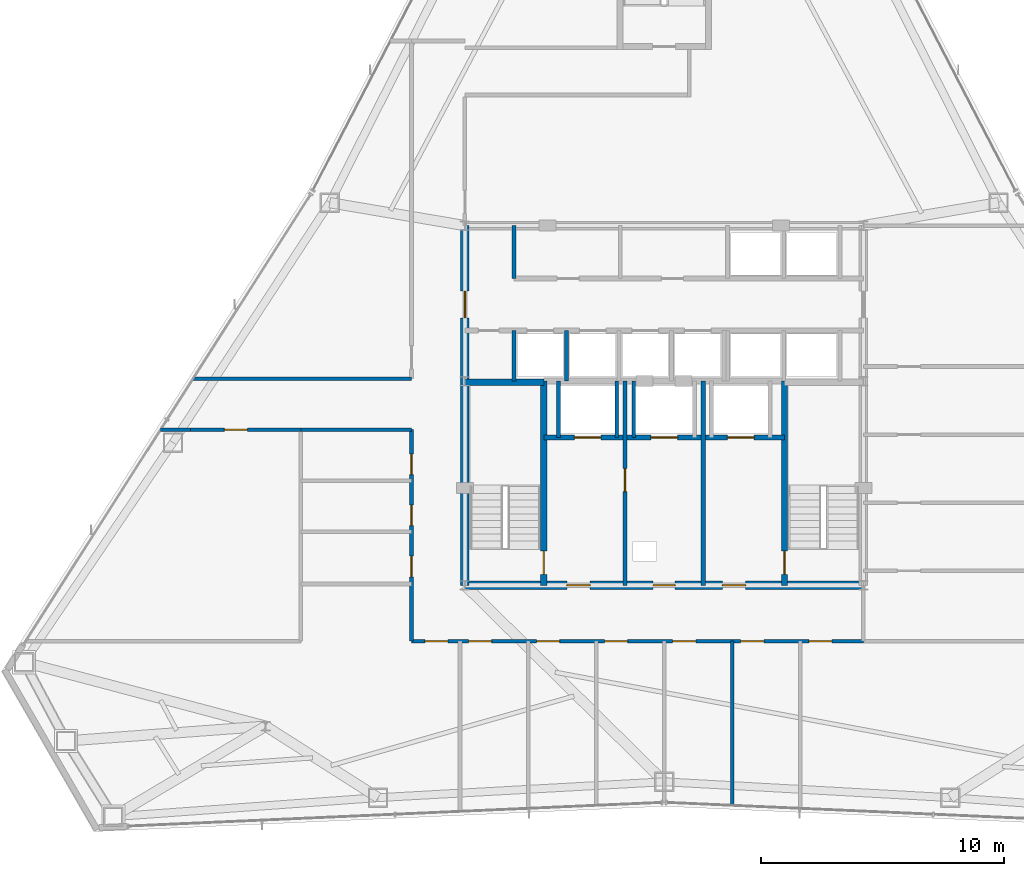
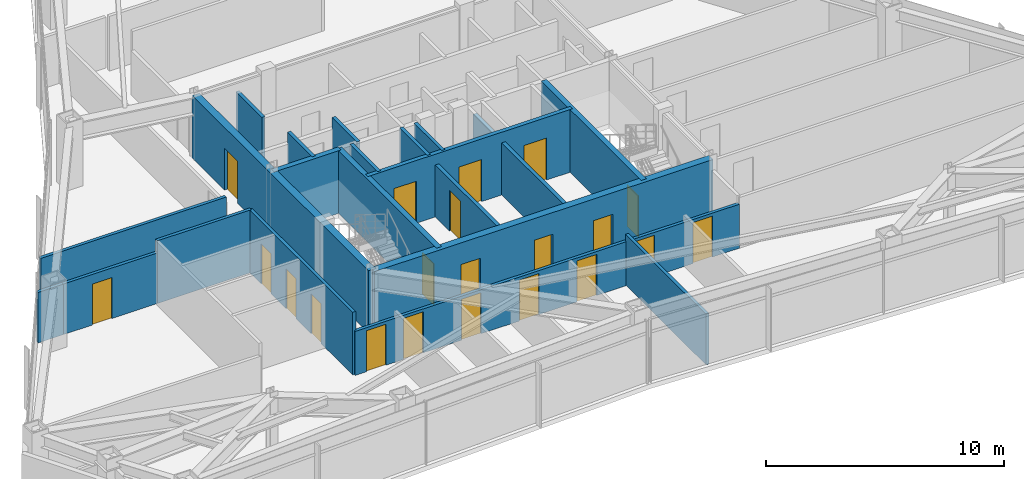
# One storey, part 10 of 13: 21 doors, 21 walls, 21 openings.
"""IFC4 building model written with IfcOpenShell, lengths in metres."""

from ifc_helpers import new_model, si_unit, direction, frame, frame_2d, origin, place, context, subcontext, project, spatial, rectangle, extrude, material, layer, layer_set, type_object, element, fill, save


model = new_model("IFC4")

# Units and contexts
model_context = context("Model", 3, precision=1e-05, world=origin(), true_north=direction((0.0, 1.0)))
body_context = subcontext(model_context, "Body", "Model", "MODEL_VIEW")
ifc_project = project(units=[si_unit("LENGTHUNIT", "METRE"), si_unit("AREAUNIT", "SQUARE_METRE"), si_unit("VOLUMEUNIT", "CUBIC_METRE"), si_unit("PLANEANGLEUNIT", "RADIAN"), si_unit("MASSUNIT", "GRAM", prefix="KILO")], contexts=[model_context])

# Site, building, storey
site_placement = place(None, origin())
site = spatial("IfcSite", under=ifc_project, at=site_placement, CompositionType="ELEMENT")
building_placement = place(site_placement, origin())
building = spatial("IfcBuilding", under=site, at=building_placement, Name="Varakhsha Concourse Tower", CompositionType="ELEMENT")
storey_placement = place(building_placement, frame((0.0, 0.0, 182.699951171875)))
storey = spatial("IfcBuildingStorey", under=building, at=storey_placement, Name="L52", CompositionType="ELEMENT", Elevation=182.699951171875)

# Wall, openings, doors
ifc_material_1 = material(Name="Concrete fc 65 MPa", Category="concrete")
ifc_layer_1 = layer(ifc_material_1, 0.35009765625, Name="WL-CORE-350")
ifc_layer_set_1 = layer_set([ifc_layer_1], Name="Concrete fc 65 MPa")
wall_type_1 = type_object("IfcWallType", Name="WL-CORE-350", PredefinedType="SHEAR", material=ifc_layer_set_1)
wall_1_placement = place(storey_placement, frame((31.800048828125, 16.39990234375, 0.0), z_axis=(0.0, 0.0, 1.0), x_axis=(1.0, 0.0, 0.0)))
wall_1 = element("IfcWall", 1, at=wall_1_placement, inside=storey, type_object=wall_type_1, Name="L52 Wall CWALL-S-L52", PredefinedType="SHEAR", context=body_context, shape_type="SweptSolid", body=[
    extrude(rectangle(XDim=16.39990234375, YDim=0.35009765625, at=frame_2d((8.199951171875, 0.0))), origin(), (0.0, 0.0, 1.0), 3.2099609375),
])
opening_1_placement = place(wall_1_placement, frame((7.75, 0.0, 0.0)))
opening_1 = element("IfcOpeningElement", 2, at=opening_1_placement, cuts=wall_1, Name="Opening DF-06", PredefinedType="OPENING", context=body_context, shape_type="SweptSolid", body=[
    extrude(rectangle(XDim=0.89990234375, YDim=2.10009765625, at=frame_2d((0.449951171875, 1.050048828125))), frame((0.0, 0.18505859375, 0.0), z_axis=(0.0, -1.0, 0.0), x_axis=(1.0, 0.0, 0.0)), (0.0, 0.0, 1.0), 0.3701171875),
])
opening_2_placement = place(wall_1_placement, frame((4.199951171875, 0.0, 0.0)))
opening_2 = element("IfcOpeningElement", 3, at=opening_2_placement, cuts=wall_1, Name="Opening DF-05", PredefinedType="OPENING", context=body_context, shape_type="SweptSolid", body=[
    extrude(rectangle(XDim=0.949951171875, YDim=2.10009765625, at=frame_2d((0.47509765625, 1.050048828125))), frame((0.0, 0.18505859375, 0.0), z_axis=(0.0, -1.0, 0.0), x_axis=(1.0, 0.0, 0.0)), (0.0, 0.0, 1.0), 0.3701171875),
])
opening_3_placement = place(wall_1_placement, frame((10.60009765625, 0.0, 0.0)))
opening_3 = element("IfcOpeningElement", 4, at=opening_3_placement, cuts=wall_1, Name="Opening DF-05", PredefinedType="OPENING", context=body_context, shape_type="SweptSolid", body=[
    extrude(rectangle(XDim=0.949951171875, YDim=2.10009765625, at=frame_2d((0.47509765625, 1.050048828125))), frame((0.0, 0.18505859375, 0.0), z_axis=(0.0, -1.0, 0.0), x_axis=(1.0, 0.0, 0.0)), (0.0, 0.0, 1.0), 0.3701171875),
])
ifc_material_2 = material(Name="Hollow Galvanised Steel Fire Door Assembly", Category="steel")
door_type_1 = type_object("IfcDoorType", Name="DR-FD60-900", OperationType="NOTDEFINED", PredefinedType="DOOR", material=ifc_material_2)
door_1_placement = place(opening_1_placement, origin())
door_1 = element("IfcDoor", 5, at=door_1_placement, inside=storey, type_object=door_type_1, Name="L52 Service Riser Vestibule Door", OperationType="SINGLE_SWING_LEFT", OverallHeight=2.10009765625, OverallWidth=0.89990234375, PredefinedType="DOOR", context=body_context, shape_type="SweptSolid", body=[
    extrude(rectangle(XDim=0.89990234375, YDim=2.10009765625, at=frame_2d((0.449951171875, 1.050048828125))), frame((0.0, 0.02490234375, 0.0), z_axis=(0.0, -1.0, 0.0), x_axis=(1.0, 0.0, 0.0)), (0.0, 0.0, 1.0), 0.050048828125),
])
fill(opening_1, door_1)
door_type_2 = type_object("IfcDoorType", Name="DR-FD60-950", OperationType="NOTDEFINED", PredefinedType="DOOR", material=ifc_material_2)
door_2_placement = place(opening_2_placement, origin())
door_2 = element("IfcDoor", 6, at=door_2_placement, inside=storey, type_object=door_type_2, Name="L52 Firefighting Lobby West Door", OperationType="SINGLE_SWING_RIGHT", OverallHeight=2.10009765625, OverallWidth=0.949951171875, PredefinedType="DOOR", context=body_context, shape_type="SweptSolid", body=[
    extrude(rectangle(XDim=0.949951171875, YDim=2.10009765625, at=frame_2d((0.47509765625, 1.050048828125))), frame((0.0, 0.02490234375, 0.0), z_axis=(0.0, -1.0, 0.0), x_axis=(1.0, 0.0, 0.0)), (0.0, 0.0, 1.0), 0.050048828125),
])
fill(opening_2, door_2)
door_3_placement = place(opening_3_placement, origin())
door_3 = element("IfcDoor", 7, at=door_3_placement, inside=storey, type_object=door_type_2, Name="L52 Firefighting Lobby East Door", OperationType="SINGLE_SWING_LEFT", OverallHeight=2.10009765625, OverallWidth=0.949951171875, PredefinedType="DOOR", context=body_context, shape_type="SweptSolid", body=[
    extrude(rectangle(XDim=0.949951171875, YDim=2.10009765625, at=frame_2d((0.47509765625, 1.050048828125))), frame((0.0, 0.02490234375, 0.0), z_axis=(0.0, -1.0, 0.0), x_axis=(1.0, 0.0, 0.0)), (0.0, 0.0, 1.0), 0.050048828125),
])
fill(opening_3, door_3)

# Wall, opening, door
wall_2_placement = place(storey_placement, frame((31.800048828125, 16.39990234375, 0.0), z_axis=(0.0, 0.0, 1.0), x_axis=(0.0, 1.0, 0.0)))
wall_2 = element("IfcWall", 8, at=wall_2_placement, inside=storey, type_object=wall_type_1, Name="L52 Wall CWALL-W-L52", PredefinedType="SHEAR", context=body_context, shape_type="SweptSolid", body=[
    extrude(rectangle(XDim=14.800048828125, YDim=0.35009765625, at=frame_2d((7.39990234375, 0.0))), origin(), (0.0, 0.0, 1.0), 3.2099609375),
])
opening_4_placement = place(wall_2_placement, frame((11.0, 0.0, 0.0)))
opening_4 = element("IfcOpeningElement", 9, at=opening_4_placement, cuts=wall_2, Name="Opening DL-01", PredefinedType="OPENING", context=body_context, shape_type="SweptSolid", body=[
    extrude(rectangle(XDim=1.10009765625, YDim=2.14990234375, at=frame_2d((0.550048828125, 1.074951171875))), frame((0.0, 0.18505859375, 0.0), z_axis=(0.0, -1.0, 0.0), x_axis=(1.0, 0.0, 0.0)), (0.0, 0.0, 1.0), 0.3701171875),
])
ifc_material_3 = material(Name="Anodised Bronze Architectural Aluminium AA 6063-T6", Category="aluminium")
door_type_3 = type_object("IfcDoorType", Name="DR-LOB-1100", OperationType="NOTDEFINED", PredefinedType="DOOR", material=ifc_material_3)
door_4_placement = place(opening_4_placement, origin())
door_4 = element("IfcDoor", 10, at=door_4_placement, inside=storey, type_object=door_type_3, Name="L52 Lift Lobby West Concourse Door", OperationType="SINGLE_SWING_LEFT", OverallHeight=2.14990234375, OverallWidth=1.10009765625, PredefinedType="DOOR", context=body_context, shape_type="SweptSolid", body=[
    extrude(rectangle(XDim=1.10009765625, YDim=2.14990234375, at=frame_2d((0.550048828125, 1.074951171875))), frame((0.0, 0.02490234375, 0.0), z_axis=(0.0, -1.0, 0.0), x_axis=(1.0, 0.0, 0.0)), (0.0, 0.0, 1.0), 0.050048828125),
])
fill(opening_4, door_4)

ifc_material_4 = material(Name="Fire-Rated Type X Gypsum Partition Assembly", Category="gypsum")
ifc_layer_2 = layer(ifc_material_4, 0.179931640625, Name="WL-FFLOB-180")
ifc_layer_set_2 = layer_set([ifc_layer_2], Name="Fire-Rated Type X Gypsum Partition Assembly")
wall_type_2 = type_object("IfcWallType", Name="WL-FFLOB-180", PredefinedType="PARTITIONING", material=ifc_layer_set_2)
wall_3_placement = place(storey_placement, frame((38.389892578125, 16.39990234375, 0.0), z_axis=(0.0, 0.0, 1.0), x_axis=(0.0, 1.0, 0.0)))
wall_3 = element("IfcWall", 11, at=wall_3_placement, inside=storey, type_object=wall_type_2, Name="L52 Wall FFW-1E-L52", PredefinedType="PARTITIONING", context=body_context, shape_type="SweptSolid", body=[
    extrude(rectangle(XDim=8.400146484375, YDim=0.179931640625, at=frame_2d((4.2001953125, 0.0))), origin(), (0.0, 0.0, 1.0), 2.6650390625),
])
opening_5_placement = place(wall_3_placement, frame((3.85009765625, 0.0, 0.0)))
opening_5 = element("IfcOpeningElement", 12, at=opening_5_placement, cuts=wall_3, Name="Opening DF-05", PredefinedType="OPENING", context=body_context, shape_type="SweptSolid", body=[
    extrude(rectangle(XDim=0.949951171875, YDim=2.10009765625, at=frame_2d((0.47509765625, 1.050048828125))), frame((0.0, 0.099853515625, 0.0), z_axis=(0.0, -1.0, 0.0), x_axis=(1.0, 0.0, 0.0)), (0.0, 0.0, 1.0), 0.199951171875),
])
door_5_placement = place(opening_5_placement, origin())
door_5 = element("IfcDoor", 13, at=door_5_placement, inside=storey, type_object=door_type_2, Name="L52 Service Vestibule Door", OperationType="SINGLE_SWING_RIGHT", OverallHeight=2.10009765625, OverallWidth=0.949951171875, PredefinedType="DOOR", context=body_context, shape_type="SweptSolid", body=[
    extrude(rectangle(XDim=0.949951171875, YDim=2.10009765625, at=frame_2d((0.47509765625, 1.050048828125))), frame((0.0, 0.02490234375, 0.0), z_axis=(0.0, -1.0, 0.0), x_axis=(1.0, 0.0, 0.0)), (0.0, 0.0, 1.0), 0.050048828125),
])
fill(opening_5, door_5)

# Wall
wall_4_placement = place(storey_placement, frame((41.610107421875, 16.39990234375, 0.0), z_axis=(0.0, 0.0, 1.0), x_axis=(0.0, 1.0, 0.0)))
element("IfcWall", 14, at=wall_4_placement, inside=storey, type_object=wall_type_2, Name="L52 Wall FFW-2W-L52", PredefinedType="PARTITIONING", context=body_context, shape_type="SweptSolid", body=[
    extrude(rectangle(XDim=8.400146484375, YDim=0.179931640625, at=frame_2d((4.2001953125, 0.0))), origin(), (0.0, 0.0, 1.0), 2.6650390625),
])

# Wall, openings, doors
ifc_layer_3 = layer(ifc_material_4, 0.14990234375, Name="WL-PART-150")
ifc_layer_set_3 = layer_set([ifc_layer_3], Name="Fire-Rated Type X Gypsum Partition Assembly")
wall_type_3 = type_object("IfcWallType", Name="WL-PART-150", PredefinedType="PARTITIONING", material=ifc_layer_set_3)
wall_5_placement = place(storey_placement, frame((29.60009765625, 14.10009765625, 0.0), z_axis=(0.0, 0.0, 1.0), x_axis=(1.0, 0.0, 0.0)))
wall_5 = element("IfcWall", 15, at=wall_5_placement, inside=storey, type_object=wall_type_3, Name="L52 Wall CRW-S-L52", PredefinedType="PARTITIONING", context=body_context, shape_type="SweptSolid", body=[
    extrude(rectangle(XDim=18.599853515625, YDim=0.14990234375, at=frame_2d((9.2998046875, 0.0))), origin(), (0.0, 0.0, 1.0), 2.251953125),
])
opening_6_placement = place(wall_5_placement, frame((0.550048828125, 0.0, 0.0)))
opening_6 = element("IfcOpeningElement", 16, at=opening_6_placement, cuts=wall_5, Name="Opening DF-05", PredefinedType="OPENING", context=body_context, shape_type="SweptSolid", body=[
    extrude(rectangle(XDim=0.949951171875, YDim=2.10009765625, at=frame_2d((0.47509765625, 1.050048828125))), frame((0.0, 0.0849609375, 0.0), z_axis=(0.0, -1.0, 0.0), x_axis=(1.0, 0.0, 0.0)), (0.0, 0.0, 1.0), 0.169921875),
])
opening_7_placement = place(wall_5_placement, frame((2.35009765625, 0.0, 0.0)))
opening_7 = element("IfcOpeningElement", 17, at=opening_7_placement, cuts=wall_5, Name="Opening DF-05", PredefinedType="OPENING", context=body_context, shape_type="SweptSolid", body=[
    extrude(rectangle(XDim=0.949951171875, YDim=2.10009765625, at=frame_2d((0.47509765625, 1.050048828125))), frame((0.0, 0.0849609375, 0.0), z_axis=(0.0, -1.0, 0.0), x_axis=(1.0, 0.0, 0.0)), (0.0, 0.0, 1.0), 0.169921875),
])
opening_8_placement = place(wall_5_placement, frame((5.14990234375, 0.0, 0.0)))
opening_8 = element("IfcOpeningElement", 18, at=opening_8_placement, cuts=wall_5, Name="Opening DF-05", PredefinedType="OPENING", context=body_context, shape_type="SweptSolid", body=[
    extrude(rectangle(XDim=0.949951171875, YDim=2.10009765625, at=frame_2d((0.47509765625, 1.050048828125))), frame((0.0, 0.0849609375, 0.0), z_axis=(0.0, -1.0, 0.0), x_axis=(1.0, 0.0, 0.0)), (0.0, 0.0, 1.0), 0.169921875),
])
opening_9_placement = place(wall_5_placement, frame((7.949951171875, 0.0, 0.0)))
opening_9 = element("IfcOpeningElement", 19, at=opening_9_placement, cuts=wall_5, Name="Opening DF-05", PredefinedType="OPENING", context=body_context, shape_type="SweptSolid", body=[
    extrude(rectangle(XDim=0.949951171875, YDim=2.10009765625, at=frame_2d((0.47509765625, 1.050048828125))), frame((0.0, 0.0849609375, 0.0), z_axis=(0.0, -1.0, 0.0), x_axis=(1.0, 0.0, 0.0)), (0.0, 0.0, 1.0), 0.169921875),
])
opening_10_placement = place(wall_5_placement, frame((10.75, 0.0, 0.0)))
opening_10 = element("IfcOpeningElement", 20, at=opening_10_placement, cuts=wall_5, Name="Opening DF-05", PredefinedType="OPENING", context=body_context, shape_type="SweptSolid", body=[
    extrude(rectangle(XDim=0.949951171875, YDim=2.10009765625, at=frame_2d((0.47509765625, 1.050048828125))), frame((0.0, 0.0849609375, 0.0), z_axis=(0.0, -1.0, 0.0), x_axis=(1.0, 0.0, 0.0)), (0.0, 0.0, 1.0), 0.169921875),
])
opening_11_placement = place(wall_5_placement, frame((13.550048828125, 0.0, 0.0)))
opening_11 = element("IfcOpeningElement", 21, at=opening_11_placement, cuts=wall_5, Name="Opening DF-05", PredefinedType="OPENING", context=body_context, shape_type="SweptSolid", body=[
    extrude(rectangle(XDim=0.949951171875, YDim=2.10009765625, at=frame_2d((0.47509765625, 1.050048828125))), frame((0.0, 0.0849609375, 0.0), z_axis=(0.0, -1.0, 0.0), x_axis=(1.0, 0.0, 0.0)), (0.0, 0.0, 1.0), 0.169921875),
])
opening_12_placement = place(wall_5_placement, frame((16.35009765625, 0.0, 0.0)))
opening_12 = element("IfcOpeningElement", 22, at=opening_12_placement, cuts=wall_5, Name="Opening DF-05", PredefinedType="OPENING", context=body_context, shape_type="SweptSolid", body=[
    extrude(rectangle(XDim=0.949951171875, YDim=2.10009765625, at=frame_2d((0.47509765625, 1.050048828125))), frame((0.0, 0.0849609375, 0.0), z_axis=(0.0, -1.0, 0.0), x_axis=(1.0, 0.0, 0.0)), (0.0, 0.0, 1.0), 0.169921875),
])
door_6_placement = place(opening_6_placement, origin())
door_6 = element("IfcDoor", 23, at=door_6_placement, inside=storey, type_object=door_type_2, Name="L52 Project Controls Workroom L52-S1 Door", OperationType="SINGLE_SWING_LEFT", OverallHeight=2.10009765625, OverallWidth=0.949951171875, PredefinedType="DOOR", context=body_context, shape_type="SweptSolid", body=[
    extrude(rectangle(XDim=0.949951171875, YDim=2.10009765625, at=frame_2d((0.47509765625, 1.050048828125))), frame((0.0, 0.02490234375, 0.0), z_axis=(0.0, -1.0, 0.0), x_axis=(1.0, 0.0, 0.0)), (0.0, 0.0, 1.0), 0.050048828125),
])
fill(opening_6, door_6)
door_7_placement = place(opening_7_placement, origin())
door_7 = element("IfcDoor", 24, at=door_7_placement, inside=storey, type_object=door_type_2, Name="L52 Strategic Advisory Office Suite L52-S2 Door", OperationType="SINGLE_SWING_RIGHT", OverallHeight=2.10009765625, OverallWidth=0.949951171875, PredefinedType="DOOR", context=body_context, shape_type="SweptSolid", body=[
    extrude(rectangle(XDim=0.949951171875, YDim=2.10009765625, at=frame_2d((0.47509765625, 1.050048828125))), frame((0.0, 0.02490234375, 0.0), z_axis=(0.0, -1.0, 0.0), x_axis=(1.0, 0.0, 0.0)), (0.0, 0.0, 1.0), 0.050048828125),
])
fill(opening_7, door_7)
door_8_placement = place(opening_8_placement, origin())
door_8 = element("IfcDoor", 25, at=door_8_placement, inside=storey, type_object=door_type_2, Name="L52 Strategic Advisory Office Suite L52-S3 Door", OperationType="SINGLE_SWING_LEFT", OverallHeight=2.10009765625, OverallWidth=0.949951171875, PredefinedType="DOOR", context=body_context, shape_type="SweptSolid", body=[
    extrude(rectangle(XDim=0.949951171875, YDim=2.10009765625, at=frame_2d((0.47509765625, 1.050048828125))), frame((0.0, 0.02490234375, 0.0), z_axis=(0.0, -1.0, 0.0), x_axis=(1.0, 0.0, 0.0)), (0.0, 0.0, 1.0), 0.050048828125),
])
fill(opening_8, door_8)
door_9_placement = place(opening_9_placement, origin())
door_9 = element("IfcDoor", 26, at=door_9_placement, inside=storey, type_object=door_type_2, Name="L52 Strategic Advisory Office Suite L52-S4 Door", OperationType="SINGLE_SWING_RIGHT", OverallHeight=2.10009765625, OverallWidth=0.949951171875, PredefinedType="DOOR", context=body_context, shape_type="SweptSolid", body=[
    extrude(rectangle(XDim=0.949951171875, YDim=2.10009765625, at=frame_2d((0.47509765625, 1.050048828125))), frame((0.0, 0.02490234375, 0.0), z_axis=(0.0, -1.0, 0.0), x_axis=(1.0, 0.0, 0.0)), (0.0, 0.0, 1.0), 0.050048828125),
])
fill(opening_9, door_9)
door_10_placement = place(opening_10_placement, origin())
door_10 = element("IfcDoor", 27, at=door_10_placement, inside=storey, type_object=door_type_2, Name="L52 Strategic Advisory Office Suite L52-S5 Door", OperationType="SINGLE_SWING_LEFT", OverallHeight=2.10009765625, OverallWidth=0.949951171875, PredefinedType="DOOR", context=body_context, shape_type="SweptSolid", body=[
    extrude(rectangle(XDim=0.949951171875, YDim=2.10009765625, at=frame_2d((0.47509765625, 1.050048828125))), frame((0.0, 0.02490234375, 0.0), z_axis=(0.0, -1.0, 0.0), x_axis=(1.0, 0.0, 0.0)), (0.0, 0.0, 1.0), 0.050048828125),
])
fill(opening_10, door_10)
door_11_placement = place(opening_11_placement, origin())
door_11 = element("IfcDoor", 28, at=door_11_placement, inside=storey, type_object=door_type_2, Name="L52 Strategic Advisory Office Suite L52-S6 Door", OperationType="SINGLE_SWING_RIGHT", OverallHeight=2.10009765625, OverallWidth=0.949951171875, PredefinedType="DOOR", context=body_context, shape_type="SweptSolid", body=[
    extrude(rectangle(XDim=0.949951171875, YDim=2.10009765625, at=frame_2d((0.47509765625, 1.050048828125))), frame((0.0, 0.02490234375, 0.0), z_axis=(0.0, -1.0, 0.0), x_axis=(1.0, 0.0, 0.0)), (0.0, 0.0, 1.0), 0.050048828125),
])
fill(opening_11, door_11)
door_12_placement = place(opening_12_placement, origin())
door_12 = element("IfcDoor", 29, at=door_12_placement, inside=storey, type_object=door_type_2, Name="L52 Strategic Advisory Office Suite L52-S7 Door", OperationType="SINGLE_SWING_LEFT", OverallHeight=2.10009765625, OverallWidth=0.949951171875, PredefinedType="DOOR", context=body_context, shape_type="SweptSolid", body=[
    extrude(rectangle(XDim=0.949951171875, YDim=2.10009765625, at=frame_2d((0.47509765625, 1.050048828125))), frame((0.0, 0.02490234375, 0.0), z_axis=(0.0, -1.0, 0.0), x_axis=(1.0, 0.0, 0.0)), (0.0, 0.0, 1.0), 0.050048828125),
])
fill(opening_12, door_12)

wall_6_placement = place(storey_placement, frame((29.60009765625, 14.10009765625, 0.0), z_axis=(0.0, 0.0, 1.0), x_axis=(0.0, 1.0, 0.0)))
wall_6 = element("IfcWall", 30, at=wall_6_placement, inside=storey, type_object=wall_type_3, Name="L52 Wall CRW-WS-L52", PredefinedType="PARTITIONING", context=body_context, shape_type="SweptSolid", body=[
    extrude(rectangle(XDim=8.699951171875, YDim=0.14990234375, at=frame_2d((4.35009765625, 0.0))), origin(), (0.0, 0.0, 1.0), 3.2099609375),
])
opening_13_placement = place(wall_6_placement, frame((2.64990234375, 0.0, 0.0)))
opening_13 = element("IfcOpeningElement", 31, at=opening_13_placement, cuts=wall_6, Name="Opening DF-07", PredefinedType="OPENING", context=body_context, shape_type="SweptSolid", body=[
    extrude(rectangle(XDim=0.85009765625, YDim=2.050048828125, at=frame_2d((0.425048828125, 1.02490234375))), frame((0.0, 0.0849609375, 0.0), z_axis=(0.0, -1.0, 0.0), x_axis=(1.0, 0.0, 0.0)), (0.0, 0.0, 1.0), 0.169921875),
])
opening_14_placement = place(wall_6_placement, frame((4.75, 0.0, 0.0)))
opening_14 = element("IfcOpeningElement", 32, at=opening_14_placement, cuts=wall_6, Name="Opening DF-07", PredefinedType="OPENING", context=body_context, shape_type="SweptSolid", body=[
    extrude(rectangle(XDim=0.85009765625, YDim=2.050048828125, at=frame_2d((0.425048828125, 1.02490234375))), frame((0.0, 0.0849609375, 0.0), z_axis=(0.0, -1.0, 0.0), x_axis=(1.0, 0.0, 0.0)), (0.0, 0.0, 1.0), 0.169921875),
])
opening_15_placement = place(wall_6_placement, frame((6.85009765625, 0.0, 0.0)))
opening_15 = element("IfcOpeningElement", 33, at=opening_15_placement, cuts=wall_6, Name="Opening DF-07", PredefinedType="OPENING", context=body_context, shape_type="SweptSolid", body=[
    extrude(rectangle(XDim=0.85009765625, YDim=2.050048828125, at=frame_2d((0.425048828125, 1.02490234375))), frame((0.0, 0.0849609375, 0.0), z_axis=(0.0, -1.0, 0.0), x_axis=(1.0, 0.0, 0.0)), (0.0, 0.0, 1.0), 0.169921875),
])
door_type_4 = type_object("IfcDoorType", Name="DR-FD60-850", OperationType="NOTDEFINED", PredefinedType="DOOR", material=ifc_material_2)
door_13_placement = place(opening_13_placement, origin())
door_13 = element("IfcDoor", 34, at=door_13_placement, inside=storey, type_object=door_type_4, Name="L52 Men Restroom WC Door", OperationType="SINGLE_SWING_LEFT", OverallHeight=2.050048828125, OverallWidth=0.85009765625, PredefinedType="DOOR", context=body_context, shape_type="SweptSolid", body=[
    extrude(rectangle(XDim=0.85009765625, YDim=2.050048828125, at=frame_2d((0.425048828125, 1.02490234375))), frame((0.0, 0.02490234375, 0.0), z_axis=(0.0, -1.0, 0.0), x_axis=(1.0, 0.0, 0.0)), (0.0, 0.0, 1.0), 0.050048828125),
])
fill(opening_13, door_13)
door_14_placement = place(opening_14_placement, origin())
door_14 = element("IfcDoor", 35, at=door_14_placement, inside=storey, type_object=door_type_4, Name="L52 Women Restroom WC Door", OperationType="SINGLE_SWING_LEFT", OverallHeight=2.050048828125, OverallWidth=0.85009765625, PredefinedType="DOOR", context=body_context, shape_type="SweptSolid", body=[
    extrude(rectangle(XDim=0.85009765625, YDim=2.050048828125, at=frame_2d((0.425048828125, 1.02490234375))), frame((0.0, 0.02490234375, 0.0), z_axis=(0.0, -1.0, 0.0), x_axis=(1.0, 0.0, 0.0)), (0.0, 0.0, 1.0), 0.050048828125),
])
fill(opening_14, door_14)
door_15_placement = place(opening_15_placement, origin())
door_15 = element("IfcDoor", 36, at=door_15_placement, inside=storey, type_object=door_type_4, Name="L52 Accessible WC Door", OperationType="SINGLE_SWING_LEFT", OverallHeight=2.050048828125, OverallWidth=0.85009765625, PredefinedType="DOOR", context=body_context, shape_type="SweptSolid", body=[
    extrude(rectangle(XDim=0.85009765625, YDim=2.050048828125, at=frame_2d((0.425048828125, 1.02490234375))), frame((0.0, 0.02490234375, 0.0), z_axis=(0.0, -1.0, 0.0), x_axis=(1.0, 0.0, 0.0)), (0.0, 0.0, 1.0), 0.050048828125),
])
fill(opening_15, door_15)

# Walls
wall_7_placement = place(storey_placement, frame((19.276123046875, 22.800048828125, 0.0), z_axis=(0.0, 0.0, 1.0), x_axis=(1.0, 0.0, 0.0)))
element("IfcWall", 37, at=wall_7_placement, inside=storey, type_object=wall_type_3, Name="L52 Wall CRW-WWS-W-L52", PredefinedType="PARTITIONING", context=body_context, shape_type="SweptSolid", body=[
    extrude(rectangle(XDim=1.223876953125, YDim=0.14990234375, at=frame_2d((0.61181640625, 0.0))), origin(), (0.0, 0.0, 1.0), 2.589111328125),
])
wall_8_placement = place(storey_placement, frame((25.050048828125, 22.800048828125, 0.0), z_axis=(0.0, 0.0, 1.0), x_axis=(1.0, 0.0, 0.0)))
element("IfcWall", 38, at=wall_8_placement, inside=storey, type_object=wall_type_3, Name="L52 Wall CRW-WWS-E-L52", PredefinedType="PARTITIONING", context=body_context, shape_type="SweptSolid", body=[
    extrude(rectangle(XDim=4.550048828125, YDim=0.14990234375, at=frame_2d((2.27490234375, 0.0))), origin(), (0.0, 0.0, 1.0), 3.2099609375),
])
wall_9_placement = place(storey_placement, frame((20.615966796875, 24.89990234375, 0.0), z_axis=(0.0, 0.0, 1.0), x_axis=(1.0, 0.0, 0.0)))
element("IfcWall", 39, at=wall_9_placement, inside=storey, type_object=wall_type_3, Name="L52 Wall CRW-WWN-L52", PredefinedType="PARTITIONING", context=body_context, shape_type="SweptSolid", body=[
    extrude(rectangle(XDim=8.984130859375, YDim=0.14990234375, at=frame_2d((4.4921875, 0.0))), origin(), (0.0, 0.0, 1.0), 2.589111328125),
])
wall_10_placement = place(storey_placement, frame((42.800048828125, 7.341552734375, 0.0), z_axis=(0.0, 0.0, 1.0), x_axis=(0.0, 1.0, 0.0)))
element("IfcWall", 40, at=wall_10_placement, inside=storey, type_object=wall_type_3, Name="L52 Wall ODIV-S5-L52", PredefinedType="PARTITIONING", context=body_context, shape_type="SweptSolid", body=[
    extrude(rectangle(XDim=6.758544921875, YDim=0.14990234375, at=frame_2d((3.37939453125, 0.0))), origin(), (0.0, 0.0, 1.0), 2.589111328125),
])

# Wall, opening, door
wall_11_placement = place(storey_placement, frame((20.5, 22.800048828125, 0.0), z_axis=(0.0, 0.0, 1.0), x_axis=(1.0, 0.0, 0.0)))
wall_11 = element("IfcWall", 41, at=wall_11_placement, inside=storey, type_object=wall_type_3, Name="L52 Wall CRW-WWS-DOOR-L52", PredefinedType="PARTITIONING", context=body_context, shape_type="SweptSolid", body=[
    extrude(rectangle(XDim=4.550048828125, YDim=0.14990234375, at=frame_2d((2.27490234375, 0.0))), origin(), (0.0, 0.0, 1.0), 2.589111328125),
])
opening_16_placement = place(wall_11_placement, frame((1.39990234375, 0.0, 0.0)))
opening_16 = element("IfcOpeningElement", 42, at=opening_16_placement, cuts=wall_11, Name="Opening DF-05", PredefinedType="OPENING", context=body_context, shape_type="SweptSolid", body=[
    extrude(rectangle(XDim=0.949951171875, YDim=2.10009765625, at=frame_2d((0.47509765625, 1.050048828125))), frame((0.0, 0.0849609375, 0.0), z_axis=(0.0, -1.0, 0.0), x_axis=(1.0, 0.0, 0.0)), (0.0, 0.0, 1.0), 0.169921875),
])
door_16_placement = place(opening_16_placement, origin())
door_16 = element("IfcDoor", 43, at=door_16_placement, inside=storey, type_object=door_type_2, Name="L52 Client Briefing Studio L52-SW Door", OperationType="SINGLE_SWING_LEFT", OverallHeight=2.10009765625, OverallWidth=0.949951171875, PredefinedType="DOOR", context=body_context, shape_type="SweptSolid", body=[
    extrude(rectangle(XDim=0.949951171875, YDim=2.10009765625, at=frame_2d((0.47509765625, 1.050048828125))), frame((0.0, 0.02490234375, 0.0), z_axis=(0.0, -1.0, 0.0), x_axis=(1.0, 0.0, 0.0)), (0.0, 0.0, 1.0), 0.050048828125),
])
fill(opening_16, door_16)

# Wall, openings, doors
ifc_layer_4 = layer(ifc_material_4, 0.199951171875, Name="WL-SHAFT-220")
ifc_layer_set_4 = layer_set([ifc_layer_4], Name="Fire-Rated Type X Gypsum Partition Assembly")
wall_type_4 = type_object("IfcWallType", Name="WL-SHAFT-220", PredefinedType="SOLIDWALL", material=ifc_layer_set_4)
wall_12_placement = place(storey_placement, frame((35.044921875, 22.47998046875, 0.0), z_axis=(0.0, 0.0, 1.0), x_axis=(1.0, 0.0, 0.0)))
wall_12 = element("IfcWall", 44, at=wall_12_placement, inside=storey, type_object=wall_type_4, Name="L52 Wall FFW-NH-L52", PredefinedType="SOLIDWALL", context=body_context, shape_type="SweptSolid", body=[
    extrude(rectangle(XDim=9.91015625, YDim=0.199951171875, at=frame_2d((4.955078125, 0.0))), origin(), (0.0, 0.0, 1.0), 3.2099609375),
])
opening_17_placement = place(wall_12_placement, frame((1.2548828125, 0.0, 0.0)))
opening_17 = element("IfcOpeningElement", 45, at=opening_17_placement, cuts=wall_12, Name="Opening LD-FFL-1", PredefinedType="OPENING", context=body_context, shape_type="SweptSolid", body=[
    extrude(rectangle(XDim=1.10009765625, YDim=2.14990234375, at=frame_2d((0.550048828125, 1.074951171875))), frame((0.0, 0.10986328125, 0.0), z_axis=(0.0, -1.0, 0.0), x_axis=(1.0, 0.0, 0.0)), (0.0, 0.0, 1.0), 0.219970703125),
])
opening_18_placement = place(wall_12_placement, frame((7.554931640625, 0.0, 0.0)))
opening_18 = element("IfcOpeningElement", 46, at=opening_18_placement, cuts=wall_12, Name="Opening LD-FFL-2", PredefinedType="OPENING", context=body_context, shape_type="SweptSolid", body=[
    extrude(rectangle(XDim=1.10009765625, YDim=2.14990234375, at=frame_2d((0.550048828125, 1.074951171875))), frame((0.0, 0.10986328125, 0.0), z_axis=(0.0, -1.0, 0.0), x_axis=(1.0, 0.0, 0.0)), (0.0, 0.0, 1.0), 0.219970703125),
])
opening_19_placement = place(wall_12_placement, frame((4.405029296875, 0.0, 0.0)))
opening_19 = element("IfcOpeningElement", 47, at=opening_19_placement, cuts=wall_12, Name="Opening LD-SVL-1", PredefinedType="OPENING", context=body_context, shape_type="SweptSolid", body=[
    extrude(rectangle(XDim=1.10009765625, YDim=2.14990234375, at=frame_2d((0.550048828125, 1.074951171875))), frame((0.0, 0.10986328125, 0.0), z_axis=(0.0, -1.0, 0.0), x_axis=(1.0, 0.0, 0.0)), (0.0, 0.0, 1.0), 0.219970703125),
])
ifc_material_5 = material(Name="Brushed Austenitic Stainless Steel AISI 316", Category="steel")
door_type_5 = type_object("IfcDoorType", Name="DR-LD-1100", OperationType="DOUBLE_DOOR_SLIDING", PredefinedType="DOOR", material=ifc_material_5)
door_17_placement = place(opening_17_placement, origin())
door_17 = element("IfcDoor", 48, at=door_17_placement, inside=storey, type_object=door_type_5, Name="Lift Landing Door FFL-1 L52", OperationType="DOUBLE_DOOR_SLIDING", OverallHeight=2.14990234375, OverallWidth=1.10009765625, PredefinedType="DOOR", context=body_context, shape_type="SweptSolid", body=[
    extrude(rectangle(XDim=1.10009765625, YDim=2.14990234375, at=frame_2d((0.550048828125, 1.074951171875))), frame((0.0, 0.02490234375, 0.0), z_axis=(0.0, -1.0, 0.0), x_axis=(1.0, 0.0, 0.0)), (0.0, 0.0, 1.0), 0.050048828125),
])
fill(opening_17, door_17)
door_18_placement = place(opening_18_placement, origin())
door_18 = element("IfcDoor", 49, at=door_18_placement, inside=storey, type_object=door_type_5, Name="Lift Landing Door FFL-2 L52", OperationType="DOUBLE_DOOR_SLIDING", OverallHeight=2.14990234375, OverallWidth=1.10009765625, PredefinedType="DOOR", context=body_context, shape_type="SweptSolid", body=[
    extrude(rectangle(XDim=1.10009765625, YDim=2.14990234375, at=frame_2d((0.550048828125, 1.074951171875))), frame((0.0, 0.02490234375, 0.0), z_axis=(0.0, -1.0, 0.0), x_axis=(1.0, 0.0, 0.0)), (0.0, 0.0, 1.0), 0.050048828125),
])
fill(opening_18, door_18)
door_19_placement = place(opening_19_placement, origin())
door_19 = element("IfcDoor", 50, at=door_19_placement, inside=storey, type_object=door_type_5, Name="Lift Landing Door SVL-1 L52", OperationType="DOUBLE_DOOR_SLIDING", OverallHeight=2.14990234375, OverallWidth=1.10009765625, PredefinedType="DOOR", context=body_context, shape_type="SweptSolid", body=[
    extrude(rectangle(XDim=1.10009765625, YDim=2.14990234375, at=frame_2d((0.550048828125, 1.074951171875))), frame((0.0, 0.02490234375, 0.0), z_axis=(0.0, -1.0, 0.0), x_axis=(1.0, 0.0, 0.0)), (0.0, 0.0, 1.0), 0.050048828125),
])
fill(opening_19, door_19)

# Walls
for number, where, z_axis, x_axis, name in (
    (51, (35.64990234375, 22.47998046875, 0.0), (0.0, 0.0, 1.0), (0.0, 1.0, 0.0), "L52 Wall SHW-FFL-1-W-L52"),
    (52, (38.050048828125, 22.47998046875, 0.0), (0.0, 0.0, 1.0), (0.0, 1.0, 0.0), "L52 Wall SHW-FFL-1-E-L52"),
    (53, (38.75, 22.47998046875, 0.0), (0.0, 0.0, 1.0), (0.0, 1.0, 0.0), "L52 Wall SHW-SVL-1-W-L52"),
):
    element("IfcWall", number, at=place(storey_placement, frame(where, z_axis=z_axis, x_axis=x_axis)), inside=storey, type_object=wall_type_4, Name=name, PredefinedType="SOLIDWALL", context=body_context, shape_type="SweptSolid", body=[
        extrude(rectangle(XDim=2.320068359375, YDim=0.159912109375, at=frame_2d((1.16015625, 0.0))), origin(), (0.0, 0.0, 1.0), 3.2099609375),
    ])
wall_13_placement = place(storey_placement, frame((33.820068359375, 29.02001953125, 0.0), z_axis=(0.0, 0.0, 1.0), x_axis=(0.0, 1.0, 0.0)))
element("IfcWall", 54, at=wall_13_placement, inside=storey, type_object=wall_type_4, Name="L52 Wall WBOH-E1-L52", PredefinedType="SOLIDWALL", context=body_context, shape_type="SweptSolid", body=[
    extrude(rectangle(XDim=2.179931640625, YDim=0.159912109375, at=frame_2d((1.08984375, 0.0))), origin(), (0.0, 0.0, 1.0), 2.6650390625),
])
for number, where, z_axis, x_axis, name in (
    (55, (33.820068359375, 24.800048828125, 0.0), (0.0, 0.0, 1.0), (0.0, 1.0, 0.0), "L52 Wall WBOH-E2-L52"),
    (56, (35.97998046875, 24.800048828125, 0.0), (0.0, 0.0, 1.0), (0.0, 1.0, 0.0), "L52 Wall SHW-LF-P05-E-L52"),
):
    element("IfcWall", number, at=place(storey_placement, frame(where, z_axis=z_axis, x_axis=x_axis)), inside=storey, type_object=wall_type_4, Name=name, PredefinedType="SOLIDWALL", context=body_context, shape_type="SweptSolid", body=[
        extrude(rectangle(XDim=2.079833984375, YDim=0.159912109375, at=frame_2d((1.0400390625, 0.0))), origin(), (0.0, 0.0, 1.0), 3.2099609375),
    ])

# Wall, opening, door
ifc_material_6 = material(Name="Concrete fc 45 MPa", Category="concrete")
ifc_layer_5 = layer(ifc_material_6, 0.25, Name="WL-STAIR-250")
ifc_layer_set_5 = layer_set([ifc_layer_5], Name="Concrete fc 45 MPa")
wall_type_5 = type_object("IfcWallType", Name="WL-STAIR-250", PredefinedType="SHEAR", material=ifc_layer_set_5)
wall_14_placement = place(storey_placement, frame((35.044921875, 16.39990234375, 0.0), z_axis=(0.0, 0.0, 1.0), x_axis=(0.0, 1.0, 0.0)))
wall_14 = element("IfcWall", 57, at=wall_14_placement, inside=storey, type_object=wall_type_5, Name="L52 Wall SWALL-ST1-E-L52", PredefinedType="SHEAR", context=body_context, shape_type="SweptSolid", body=[
    extrude(rectangle(XDim=8.400146484375, YDim=0.25, at=frame_2d((4.2001953125, 0.0))), origin(), (0.0, 0.0, 1.0), 3.2099609375),
])
opening_20_placement = place(wall_14_placement, frame((0.449951171875, 0.0, 0.0)))
opening_20 = element("IfcOpeningElement", 58, at=opening_20_placement, cuts=wall_14, Name="Opening DF-03", PredefinedType="OPENING", context=body_context, shape_type="SweptSolid", body=[
    extrude(rectangle(XDim=0.949951171875, YDim=2.10009765625, at=frame_2d((0.47509765625, 1.050048828125))), frame((0.0, 0.135009765625, 0.0), z_axis=(0.0, -1.0, 0.0), x_axis=(1.0, 0.0, 0.0)), (0.0, 0.0, 1.0), 0.27001953125),
])
door_type_6 = type_object("IfcDoorType", Name="DR-FD90-950", OperationType="NOTDEFINED", PredefinedType="DOOR", material=ifc_material_2)
door_20_placement = place(opening_20_placement, origin())
door_20 = element("IfcDoor", 59, at=door_20_placement, inside=storey, type_object=door_type_6, Name="L52 Stair ST1 Fire Door", OperationType="SINGLE_SWING_LEFT", OverallHeight=2.10009765625, OverallWidth=0.949951171875, PredefinedType="DOOR", context=body_context, shape_type="SweptSolid", body=[
    extrude(rectangle(XDim=0.949951171875, YDim=2.10009765625, at=frame_2d((0.47509765625, 1.050048828125))), frame((0.0, 0.02490234375, 0.0), z_axis=(0.0, -1.0, 0.0), x_axis=(1.0, 0.0, 0.0)), (0.0, 0.0, 1.0), 0.050048828125),
])
fill(opening_20, door_20)

# Wall
wall_15_placement = place(storey_placement, frame((31.800048828125, 24.7548828125, 0.0), z_axis=(0.0, 0.0, 1.0), x_axis=(1.0, 0.0, 0.0)))
element("IfcWall", 60, at=wall_15_placement, inside=storey, type_object=wall_type_5, Name="L52 Wall SWALL-ST1-N-L52", PredefinedType="SHEAR", context=body_context, shape_type="SweptSolid", body=[
    extrude(rectangle(XDim=3.244873046875, YDim=0.25, at=frame_2d((1.62255859375, 0.0))), origin(), (0.0, 0.0, 1.0), 3.2099609375),
])

# Wall, opening, door
wall_16_placement = place(storey_placement, frame((44.955078125, 16.39990234375, 0.0), z_axis=(0.0, 0.0, 1.0), x_axis=(0.0, 1.0, 0.0)))
wall_16 = element("IfcWall", 61, at=wall_16_placement, inside=storey, type_object=wall_type_5, Name="L52 Wall SWALL-ST2-W-L52", PredefinedType="SHEAR", context=body_context, shape_type="SweptSolid", body=[
    extrude(rectangle(XDim=8.400146484375, YDim=0.25, at=frame_2d((4.2001953125, 0.0))), origin(), (0.0, 0.0, 1.0), 3.2099609375),
])
opening_21_placement = place(wall_16_placement, frame((0.449951171875, 0.0, 0.0)))
opening_21 = element("IfcOpeningElement", 62, at=opening_21_placement, cuts=wall_16, Name="Opening DF-03", PredefinedType="OPENING", context=body_context, shape_type="SweptSolid", body=[
    extrude(rectangle(XDim=0.949951171875, YDim=2.10009765625, at=frame_2d((0.47509765625, 1.050048828125))), frame((0.0, 0.135009765625, 0.0), z_axis=(0.0, -1.0, 0.0), x_axis=(1.0, 0.0, 0.0)), (0.0, 0.0, 1.0), 0.27001953125),
])
door_21_placement = place(opening_21_placement, origin())
door_21 = element("IfcDoor", 63, at=door_21_placement, inside=storey, type_object=door_type_6, Name="L52 Stair ST2 Fire Door", OperationType="SINGLE_SWING_RIGHT", OverallHeight=2.10009765625, OverallWidth=0.949951171875, PredefinedType="DOOR", context=body_context, shape_type="SweptSolid", body=[
    extrude(rectangle(XDim=0.949951171875, YDim=2.10009765625, at=frame_2d((0.47509765625, 1.050048828125))), frame((0.0, 0.02490234375, 0.0), z_axis=(0.0, -1.0, 0.0), x_axis=(1.0, 0.0, 0.0)), (0.0, 0.0, 1.0), 0.050048828125),
])
fill(opening_21, door_21)

save(model, "model.ifc")
